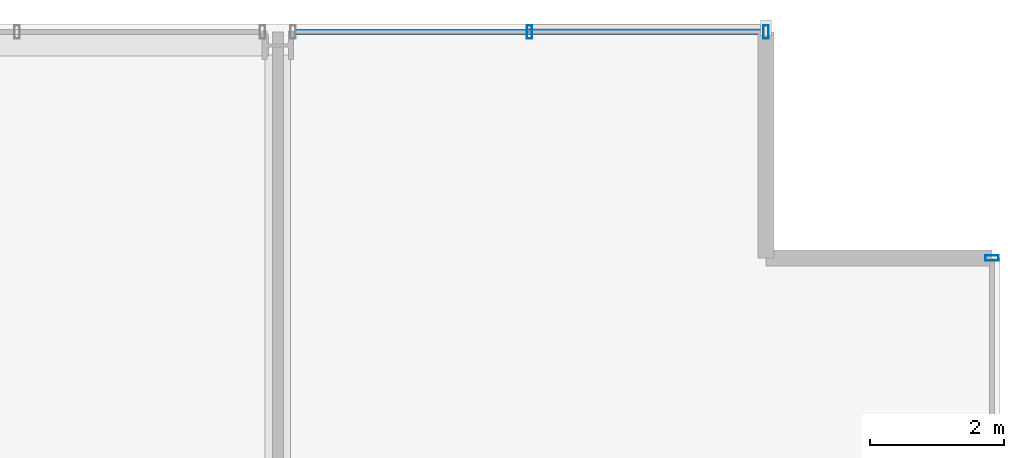
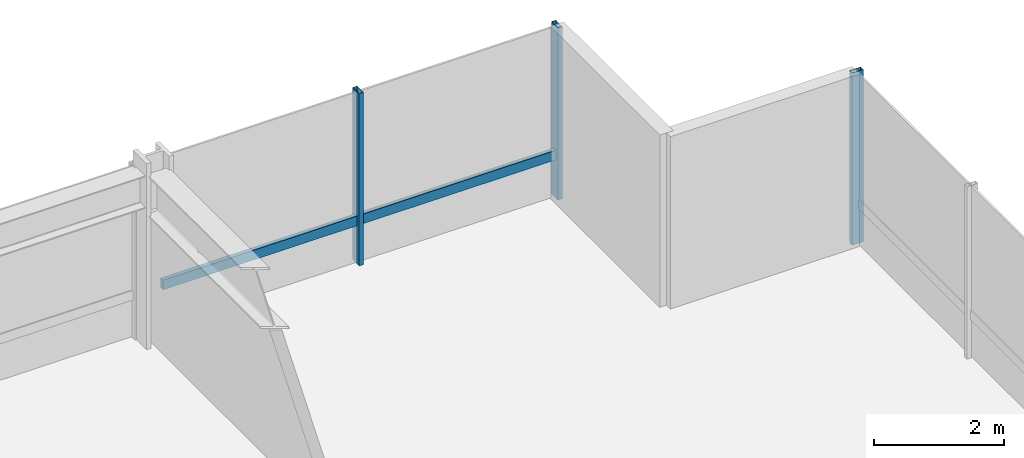
# One storey, part 28 of 37: 4 members, 2 elements without a shape of their own.
"""IFC4 building model written with IfcOpenShell, lengths in metres."""

import ifcopenshell
import ifcopenshell.guid

model = None  # the IFC model being written
_history = None  # IfcOwnerHistory: only IFC2X3 demands one
_inside = {}  # id of a spatial element -> (the spatial element, [elements in it])
_under = {}  # id of a project, library or spatial element -> (it, [spatial elements below it])
_declared = {}  # id of a project -> (the project, [libraries it declares])
_typed = {}  # id of a type object -> (the type object, [elements of that type])
_made_of = {}  # id of a material, layer set ... -> (it, [elements and type objects made of it])


def new_model(schema):
    """Start an empty IFC model of exactly this schema.

    Asked for "IFC4X3", IfcOpenShell would pick the latest addendum, in which some entities
    have other attributes; the version numbers below select the first issue.
    IFC2X3 requires an IfcOwnerHistory on every rooted entity: one is made here for all.
    """
    global model, _history
    if schema == "IFC4X3":
        model = ifcopenshell.file(schema_version=(4, 3, 0, 0))
    else:
        model = ifcopenshell.file(schema=schema)
    _inside.clear()
    _under.clear()
    _declared.clear()
    _typed.clear()
    _made_of.clear()
    _history = None
    if model.schema == "IFC2X3":
        org = make("IfcOrganization", Name="unknown")
        user = make(
            "IfcPersonAndOrganization",
            ThePerson=make("IfcPerson", FamilyName="unknown"),
            TheOrganization=org,
        )
        app = make(
            "IfcApplication",
            ApplicationDeveloper=org,
            Version="unknown",
            ApplicationFullName="unknown",
            ApplicationIdentifier="unknown",
        )
        _history = make(
            "IfcOwnerHistory",
            OwningUser=user,
            OwningApplication=app,
            ChangeAction="ADDED",
            CreationDate=0,
        )
    return model


def make(cls, **values):
    """One entity of the class cls with the attributes given. An attribute that is None is left unset."""
    return model.create_entity(
        cls, **{name: value for name, value in values.items() if value is not None}
    )


def rooted(cls, **values):
    """An entity with a GlobalId (a new one), such as an element, a storey or a relation."""
    return make(cls, GlobalId=ifcopenshell.guid.new(), OwnerHistory=_history, **values)


def si_unit(unit_type, name, prefix=None):
    """IfcSIUnit, for example si_unit("LENGTHUNIT", "METRE", prefix="MILLI")."""
    return make("IfcSIUnit", UnitType=unit_type, Prefix=prefix, Name=name)


def assignment(units):
    """IfcUnitAssignment: the units of a project."""
    return None if units is None else make("IfcUnitAssignment", Units=units)


def point(xyz):
    """IfcCartesianPoint."""
    return None if xyz is None else make("IfcCartesianPoint", Coordinates=xyz)


def direction(xyz):
    """IfcDirection."""
    return None if xyz is None else make("IfcDirection", DirectionRatios=xyz)


def frame(location, z_axis=None, x_axis=None):
    """IfcAxis2Placement3D, a coordinate frame: its origin and axes. An axis left out is left unset."""
    return make(
        "IfcAxis2Placement3D",
        Location=point(location),
        Axis=direction(z_axis),
        RefDirection=direction(x_axis),
    )


def frame_2d(location, x_axis=None):
    """IfcAxis2Placement2D, a coordinate frame in the plane: its origin and x axis."""
    return make(
        "IfcAxis2Placement2D", Location=point(location), RefDirection=direction(x_axis)
    )


def origin():
    """The frame at (0, 0, 0) with its axes left unset."""
    return frame((0.0, 0.0, 0.0))


def origin_2d():
    """The frame at (0, 0) in the plane with its x axis left unset."""
    return frame_2d((0.0, 0.0))


def place(relative_to, where):
    """IfcLocalPlacement: puts the frame where relative to a parent placement (None: the world)."""
    return make(
        "IfcLocalPlacement", PlacementRelTo=relative_to, RelativePlacement=where
    )


def context(
    kind, dimensions, precision=None, world=None, true_north=None, identifier=None
):
    """IfcGeometricRepresentationContext, for example the 3D "Model" context."""
    return make(
        "IfcGeometricRepresentationContext",
        ContextIdentifier=identifier,
        ContextType=kind,
        CoordinateSpaceDimension=dimensions,
        Precision=precision,
        WorldCoordinateSystem=world,
        TrueNorth=true_north,
    )


def subcontext(parent, identifier, kind, view, scale=None):
    """IfcGeometricRepresentationSubContext, for example "Body" below "Model"."""
    return make(
        "IfcGeometricRepresentationSubContext",
        ContextIdentifier=identifier,
        ContextType=kind,
        ParentContext=parent,
        TargetScale=scale,
        TargetView=view,
    )


def project(units=None, contexts=None):
    """IfcProject with its units and contexts."""
    return rooted(
        "IfcProject",
        Name="project",
        RepresentationContexts=contexts,
        UnitsInContext=assignment(units),
    )


def spatial(cls, under=None, at=None, **own):
    """A site, building, storey or space (cls), placed at a placement, below another one or the project."""
    s = rooted(cls, ObjectPlacement=at, **own)
    if under is not None:
        _under.setdefault(under.id(), (under, []))[1].append(s)
    return s


def profile(cls, at=None, kind="AREA", **sizes):
    """A parametric profile (cls). Its sizes go by their IFC names, for example OverallWidth=200.0."""
    return make(cls, ProfileType=kind, Position=at, **sizes)


def hollow_rectangle(**sizes):
    """IfcRectangleHollowProfileDef."""
    return profile("IfcRectangleHollowProfileDef", **sizes)


def extrude(swept, where, along, depth):
    """IfcExtrudedAreaSolid: the profile swept, set in the frame where, extruded along a direction by depth."""
    return make(
        "IfcExtrudedAreaSolid",
        SweptArea=swept,
        Position=where,
        ExtrudedDirection=direction(along),
        Depth=depth,
    )


def shape(context_of_items, identifier, shape_type, items):
    """IfcShapeRepresentation: the items that make up one representation, for example the "Body"."""
    return make(
        "IfcShapeRepresentation",
        ContextOfItems=context_of_items,
        RepresentationIdentifier=identifier,
        RepresentationType=shape_type,
        Items=items,
    )


def material(Name=None, Category=None):
    """IfcMaterial."""
    return make("IfcMaterial", Name=Name, Category=Category)


def layer(
    of_material, thickness, ventilated=None, Name=None, Category=None, Priority=None
):
    """IfcMaterialLayer: one layer of a wall or slab, of a material (None: an air gap)."""
    return make(
        "IfcMaterialLayer",
        Material=of_material,
        LayerThickness=thickness,
        IsVentilated=ventilated,
        Name=Name,
        Category=Category,
        Priority=Priority,
    )


def layer_set(layers, Name=None):
    """IfcMaterialLayerSet."""
    return make("IfcMaterialLayerSet", MaterialLayers=layers, LayerSetName=Name)


def material_profile(
    of_material, cross_section, Name=None, Category=None, Priority=None
):
    """IfcMaterialProfile: a cross section and its material."""
    return make(
        "IfcMaterialProfile",
        Name=Name,
        Material=of_material,
        Profile=cross_section,
        Priority=Priority,
        Category=Category,
    )


def profile_set(profiles, Name=None, composite=None):
    """IfcMaterialProfileSet."""
    return make(
        "IfcMaterialProfileSet",
        Name=Name,
        MaterialProfiles=profiles,
        CompositeProfile=composite,
    )


def made_of(thing, what):
    """Note that an element or type object is made of a material, layer set ...; save() writes the relation."""
    if what is not None:
        _made_of.setdefault(what.id(), (what, []))[1].append(thing)
    return thing


def type_object(cls, material=None, **own):
    """A type object (cls), such as IfcWallType, which elements share."""
    return made_of(rooted(cls, **own), material)


def element(
    cls,
    number,
    at=None,
    inside=None,
    cuts=None,
    type_object=None,
    material=None,
    context=None,
    identifier="Body",
    shape_type=None,
    held_by="IfcProductDefinitionShape",
    body=None,
    shapes=None,
    **own,
):
    """One element of the class cls, such as IfcWall. Its Tag is "e" and its number.

    at: its placement. inside: the storey or other place that contains it. cuts: it is an
    opening in that element (IfcRelVoidsElement). A single representation is given by context,
    identifier, shape_type and body (its items); several are given by shapes. held_by: the class
    of the entity that holds the representations. save() writes the other relations.
    """
    e = rooted(cls, Tag="e%d" % number, ObjectPlacement=at, **own)
    if body is not None:
        shapes = [shape(context, identifier, shape_type, body)]
    if shapes is not None:
        e.Representation = make(held_by, Representations=shapes)
    if inside is not None:
        _inside.setdefault(inside.id(), (inside, []))[1].append(e)
    if cuts is not None:
        rooted(
            "IfcRelVoidsElement", RelatingBuildingElement=cuts, RelatedOpeningElement=e
        )
    if type_object is not None:
        _typed.setdefault(type_object.id(), (type_object, []))[1].append(e)
    return made_of(e, material)


def aggregate(whole, parts):
    """IfcRelAggregates: a whole, such as a stair, and the parts it consists of."""
    return rooted("IfcRelAggregates", RelatingObject=whole, RelatedObjects=parts)


def save(model, path):
    """Write the relations noted so far, then the file.

    IfcRelAggregates (storeys below a building ...), IfcRelContainedInSpatialStructure (elements
    in a storey), IfcRelDefinesByType, IfcRelAssociatesMaterial and IfcRelDeclares: one each for
    every whole, place, type object, material and project.
    """
    for whole, parts in _under.values():
        aggregate(whole, parts)
    for where, things in _inside.values():
        rooted(
            "IfcRelContainedInSpatialStructure",
            RelatedElements=things,
            RelatingStructure=where,
        )
    for kind, things in _typed.values():
        rooted("IfcRelDefinesByType", RelatedObjects=things, RelatingType=kind)
    for what, things in _made_of.values():
        rooted("IfcRelAssociatesMaterial", RelatedObjects=things, RelatingMaterial=what)
    for by, libraries in _declared.values():
        rooted("IfcRelDeclares", RelatingContext=by, RelatedDefinitions=libraries)
    model.write(path)


model = new_model("IFC4")

# Units and contexts
model_context = context("Model", 3, precision=1e-05, world=origin(), true_north=direction((0.0, 1.0)))
body_context = subcontext(model_context, "Body", "Model", "MODEL_VIEW")
ifc_project = project(units=[si_unit("LENGTHUNIT", "METRE"), si_unit("AREAUNIT", "SQUARE_METRE"), si_unit("VOLUMEUNIT", "CUBIC_METRE"), si_unit("PLANEANGLEUNIT", "RADIAN"), si_unit("MASSUNIT", "GRAM", prefix="KILO")], contexts=[model_context])

# Site, building, storey
site_placement = place(None, origin())
site = spatial("IfcSite", under=ifc_project, at=site_placement, CompositionType="ELEMENT")
building_placement = place(site_placement, origin())
building = spatial("IfcBuilding", under=site, at=building_placement, Name="Drelvath Grand Hotel", CompositionType="ELEMENT")
storey_placement = place(building_placement, frame((0.0, 0.0, 75.199951171875)))
storey = spatial("IfcBuildingStorey", under=building, at=storey_placement, Name="L18", CompositionType="ELEMENT", Elevation=75.199951171875)

# Curtain wall, member
ifc_material = material(Name="Warm Bronze Anodised Aluminium Frame", Category="aluminium")
ifc_layer = layer(ifc_material, 0.199951171875)
ifc_layer_set = layer_set([ifc_layer], Name="Warm Bronze Anodised Aluminium Frame")
curtain_wall_type = type_object("IfcCurtainWallType", Name="Stick Curtain Wall CW-02 Warm Bronze Low-Rise", PredefinedType="NOTDEFINED", material=ifc_layer_set)
curtain_wall_1_placement = place(storey_placement, origin())
curtain_wall_1 = element("IfcCurtainWall", 1, at=curtain_wall_1_placement, inside=storey, type_object=curtain_wall_type, Name="L18 CW-02 Curtain Wall CW02-L18-NE3", PredefinedType="NOTDEFINED")
ifc_material_profile_1 = material_profile(ifc_material, hollow_rectangle(XDim=0.074951171875, YDim=0.179931640625, WallThickness=0.0048828125, at=origin_2d()), Name="HSS180X75X5")
ifc_profile_set_1 = profile_set([ifc_material_profile_1], Name="Warm Bronze Anodised Aluminium Frame")
member_type_1 = type_object("IfcMemberType", Name="Curtain Wall Horizontal Transom CW-02 HSS180X75X5", PredefinedType="USERDEFINED", material=ifc_profile_set_1)
member_1_placement = place(storey_placement, frame((16.468994140625, 53.8798828125, 0.81005859375), z_axis=(1.0, 0.0, 0.0), x_axis=(0.0, 1.0, 0.0)))
member_1 = element("IfcMember", 2, at=member_1_placement, type_object=member_type_1, Name="CW02-L18-NE3 Sill Transom", ObjectType="TRANSOM", PredefinedType="USERDEFINED", context=body_context, shape_type="SweptSolid", body=[
    extrude(hollow_rectangle(XDim=0.074951171875, YDim=0.179931640625, WallThickness=0.0048828125, at=origin_2d()), origin(), (0.0, 0.0, 1.0), 6.990966796875),
])

curtain_wall_2_placement = place(storey_placement, origin())
curtain_wall_2 = element("IfcCurtainWall", 3, at=curtain_wall_2_placement, inside=storey, type_object=curtain_wall_type, Name="L18 CW-02 Curtain Wall CW02-L18-EN3", PredefinedType="NOTDEFINED")
ifc_material_profile_2 = material_profile(ifc_material, hollow_rectangle(XDim=0.080078125, YDim=0.199951171875, WallThickness=0.0048828125, at=origin_2d()), Name="HSS200X80X5")
ifc_profile_set_2 = profile_set([ifc_material_profile_2], Name="Warm Bronze Anodised Aluminium Frame")
member_type_2 = type_object("IfcMemberType", Name="Curtain Wall Vertical Mullion CW-02 HSS200X80X5", PredefinedType="MULLION", material=ifc_profile_set_2)
member_2_placement = place(storey_placement, frame((26.8798828125, 50.5, 0.0), z_axis=(0.0, 0.0, 1.0), x_axis=(0.0, 1.0, 0.0)))
member_2 = element("IfcMember", 4, at=member_2_placement, type_object=member_type_2, Name="CW02-L18-EN3 Mullion 1", PredefinedType="MULLION", context=body_context, shape_type="SweptSolid", body=[
    extrude(hollow_rectangle(XDim=0.080078125, YDim=0.199951171875, WallThickness=0.0048828125, at=origin_2d()), origin(), (0.0, 0.0, 1.0), 3.239990234375),
])
aggregate(curtain_wall_2, [member_2])

# Member
member_3_placement = place(storey_placement, frame((19.964599609375, 53.8798828125, 0.0), z_axis=(0.0, 0.0, 1.0), x_axis=(1.0, 0.0, 0.0)))
member_3 = element("IfcMember", 5, at=member_3_placement, type_object=member_type_2, Name="CW02-L18-NE3 Mullion 2", PredefinedType="MULLION", context=body_context, shape_type="SweptSolid", body=[
    extrude(hollow_rectangle(XDim=0.080078125, YDim=0.199951171875, WallThickness=0.0048828125, at=origin_2d()), origin(), (0.0, 0.0, 1.0), 3.239990234375),
])

member_4_placement = place(storey_placement, frame((23.5, 53.8798828125, 0.0), z_axis=(0.0, 0.0, 1.0), x_axis=(1.0, 0.0, 0.0)))
member_4 = element("IfcMember", 6, at=member_4_placement, type_object=member_type_2, Name="CW02-L18-NE3 Mullion 3", PredefinedType="MULLION", context=body_context, shape_type="SweptSolid", body=[
    extrude(hollow_rectangle(XDim=0.080078125, YDim=0.199951171875, WallThickness=0.0048828125, at=origin_2d()), origin(), (0.0, 0.0, 1.0), 3.239990234375),
])

aggregate(curtain_wall_1, [member_3, member_4, member_1])

save(model, "model.ifc")
